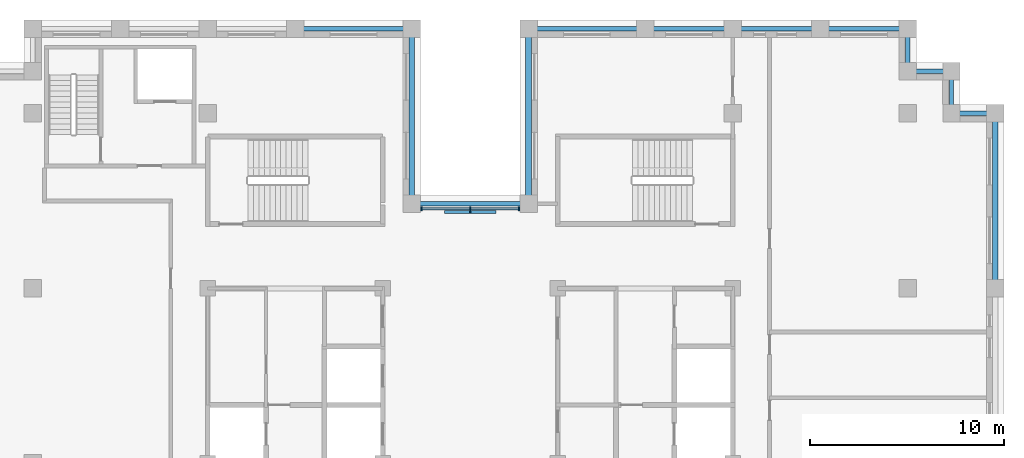
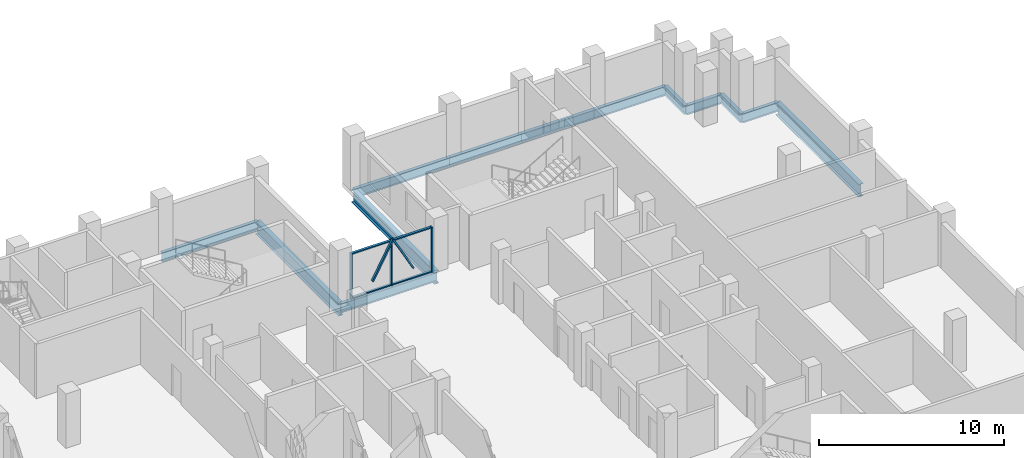
# One storey, part 4 of 13: 13 beams, 9 members, 1 element without a shape of its own.
"""IFC4 building model written with IfcOpenShell, lengths in metres."""

from ifc_helpers import new_model, si_unit, direction, frame, origin, origin_2d, place, context, subcontext, project, spatial, rectangle, i_section, extrude, material, layer, layer_set, material_profile, profile_set, type_object, element, aggregate, save


model = new_model("IFC4")

# Units and contexts
model_context = context("Model", 3, precision=1e-05, world=origin(), true_north=direction((0.0, 1.0)))
body_context = subcontext(model_context, "Body", "Model", "MODEL_VIEW")
ifc_project = project(units=[si_unit("LENGTHUNIT", "METRE"), si_unit("AREAUNIT", "SQUARE_METRE"), si_unit("VOLUMEUNIT", "CUBIC_METRE"), si_unit("PLANEANGLEUNIT", "RADIAN"), si_unit("MASSUNIT", "GRAM", prefix="KILO")], contexts=[model_context])

# Site, building, storey
site_placement = place(None, origin())
site = spatial("IfcSite", under=ifc_project, at=site_placement, CompositionType="ELEMENT")
building_placement = place(site_placement, origin())
building = spatial("IfcBuilding", under=site, at=building_placement, Name="Corbelhall Arena Tower", CompositionType="ELEMENT")
storey_placement = place(building_placement, frame((0.0, 0.0, 290.0)))
storey = spatial("IfcBuildingStorey", under=building, at=storey_placement, Name="L63", CompositionType="ELEMENT", Elevation=290.0)

# Curtain wall, members
ifc_material_1 = material(Name="Aluminium black anodised", Category="aluminium")
ifc_layer = layer(ifc_material_1, 0.199951171875)
ifc_layer_set = layer_set([ifc_layer], Name="EV-CW1 Slot back wall")
curtain_wall_type = type_object("IfcCurtainWallType", Name="EV-CW1 Slot back wall", PredefinedType="NOTDEFINED", material=ifc_layer_set)
curtain_wall_placement = place(storey_placement, origin())
curtain_wall = element("IfcCurtainWall", 1, at=curtain_wall_placement, inside=storey, type_object=curtain_wall_type, Name="Curtain wall CW1", PredefinedType="NOTDEFINED")
ifc_material_profile_1 = material_profile(ifc_material_1, rectangle(XDim=0.199951171875, YDim=0.074951171875, at=origin_2d()))
ifc_profile_set_1 = profile_set([ifc_material_profile_1], Name="Aluminium black anodised")
member_type_1 = type_object("IfcMemberType", Name="EV-CW1-MULLION", PredefinedType="MULLION", material=ifc_profile_set_1)
member_1_placement = place(storey_placement, frame((2.512451171875, 13.10009765625, 0.0), z_axis=(0.0, 0.0, 1.0), x_axis=(0.0, -1.0, 0.0)))
member_1 = element("IfcMember", 2, at=member_1_placement, type_object=member_type_1, Name="CW1 mullion 1", PredefinedType="MULLION", context=body_context, shape_type="SweptSolid", body=[
    extrude(rectangle(XDim=0.199951171875, YDim=0.074951171875, at=origin_2d()), origin(), (0.0, 0.0, 1.0), 2.989990234375),
])
member_2_placement = place(storey_placement, frame((0.0, 13.10009765625, 0.0), z_axis=(0.0, 0.0, 1.0), x_axis=(0.0, -1.0, 0.0)))
member_2 = element("IfcMember", 3, at=member_2_placement, type_object=member_type_1, Name="CW1 mullion 2", PredefinedType="MULLION", context=body_context, shape_type="SweptSolid", body=[
    extrude(rectangle(XDim=0.199951171875, YDim=0.074951171875, at=origin_2d()), origin(), (0.0, 0.0, 1.0), 2.989990234375),
])
member_3_placement = place(storey_placement, frame((-2.512451171875, 13.10009765625, 0.0), z_axis=(0.0, 0.0, 1.0), x_axis=(0.0, -1.0, 0.0)))
member_3 = element("IfcMember", 4, at=member_3_placement, type_object=member_type_1, Name="CW1 mullion 3", PredefinedType="MULLION", context=body_context, shape_type="SweptSolid", body=[
    extrude(rectangle(XDim=0.199951171875, YDim=0.074951171875, at=origin_2d()), origin(), (0.0, 0.0, 1.0), 2.989990234375),
])
ifc_material_profile_2 = material_profile(ifc_material_1, rectangle(XDim=0.14990234375, YDim=0.074951171875, at=origin_2d()))
ifc_profile_set_2 = profile_set([ifc_material_profile_2], Name="Aluminium black anodised")
member_type_2 = type_object("IfcMemberType", Name="EV-CW1-TRANSOM", PredefinedType="USERDEFINED", material=ifc_profile_set_2)
member_4_placement = place(storey_placement, frame((2.47509765625, 13.10009765625, 0.03759765625), z_axis=(-1.0, 0.0, 0.0), x_axis=(0.0, -1.0, 0.0)))
member_4 = element("IfcMember", 5, at=member_4_placement, type_object=member_type_2, Name="CW1 transom 1.1", ObjectType="transom", PredefinedType="USERDEFINED", context=body_context, shape_type="SweptSolid", body=[
    extrude(rectangle(XDim=0.14990234375, YDim=0.074951171875, at=origin_2d()), origin(), (0.0, 0.0, 1.0), 2.4375),
])
member_5_placement = place(storey_placement, frame((2.47509765625, 13.10009765625, 2.952392578125), z_axis=(-1.0, 0.0, 0.0), x_axis=(0.0, -1.0, 0.0)))
member_5 = element("IfcMember", 6, at=member_5_placement, type_object=member_type_2, Name="CW1 transom 1.2", ObjectType="transom", PredefinedType="USERDEFINED", context=body_context, shape_type="SweptSolid", body=[
    extrude(rectangle(XDim=0.14990234375, YDim=0.074951171875, at=origin_2d()), origin(), (0.0, 0.0, 1.0), 2.4375),
])
member_6_placement = place(storey_placement, frame((-0.03759765625, 13.10009765625, 0.03759765625), z_axis=(-1.0, 0.0, 0.0), x_axis=(0.0, -1.0, 0.0)))
member_6 = element("IfcMember", 7, at=member_6_placement, type_object=member_type_2, Name="CW1 transom 2.1", ObjectType="transom", PredefinedType="USERDEFINED", context=body_context, shape_type="SweptSolid", body=[
    extrude(rectangle(XDim=0.14990234375, YDim=0.074951171875, at=origin_2d()), origin(), (0.0, 0.0, 1.0), 2.4375),
])
member_7_placement = place(storey_placement, frame((-0.03759765625, 13.10009765625, 2.952392578125), z_axis=(-1.0, 0.0, 0.0), x_axis=(0.0, -1.0, 0.0)))
member_7 = element("IfcMember", 8, at=member_7_placement, type_object=member_type_2, Name="CW1 transom 2.2", ObjectType="transom", PredefinedType="USERDEFINED", context=body_context, shape_type="SweptSolid", body=[
    extrude(rectangle(XDim=0.14990234375, YDim=0.074951171875, at=origin_2d()), origin(), (0.0, 0.0, 1.0), 2.4375),
])
aggregate(curtain_wall, [member_1, member_2, member_3, member_4, member_5, member_6, member_7])

# Members
ifc_material_profile_3 = material_profile(ifc_material_1, rectangle(XDim=0.159912109375, YDim=0.10009765625, at=origin_2d()))
ifc_profile_set_3 = profile_set([ifc_material_profile_3], Name="Aluminium black anodised")
member_type_3 = type_object("IfcMemberType", Name="EV-TR1 Tracery bar", PredefinedType="USERDEFINED", material=ifc_profile_set_3)
for number, where, z_axis, x_axis, name in (
    (9, (1.27490234375, 12.919921875, 0.807373046875), (-0.478030960994, 0.0, 0.878342985588), (0.0, -1.0, 0.0), "Tracery bar"),
    (10, (0.0, 12.919921875, 3.14990234375), (-0.478030960994, 0.0, -0.878342985588), (0.0, -1.0, 0.0), "Tracery bar"),
):
    element("IfcMember", number, at=place(storey_placement, frame(where, z_axis=z_axis, x_axis=x_axis)), inside=storey, type_object=member_type_3, Name=name, ObjectType="TRACERY", PredefinedType="USERDEFINED", context=body_context, shape_type="SweptSolid", body=[
        extrude(rectangle(XDim=0.159912109375, YDim=0.10009765625, at=origin_2d()), origin(), (0.0, 0.0, 1.0), 2.6669921875),
    ])

# Beams
ifc_material_2 = material(Name="Steel ASTM A992 Gr50", Category="steel")
ifc_material_profile_4 = material_profile(ifc_material_2, i_section(OverallWidth=0.227783203125, OverallDepth=0.60205078125, WebThickness=0.010498046875, FlangeThickness=0.014892578125, at=origin_2d()))
ifc_profile_set_4 = profile_set([ifc_material_profile_4], Name="Steel ASTM A992 Gr50")
beam_type_1 = type_object("IfcBeamType", Name="ST-SPANDREL-W24x68", PredefinedType="SPANDREL", material=ifc_profile_set_4)
beam_1_placement = place(storey_placement, frame((3.0, 22.35009765625, -0.5810546875), z_axis=(1.0, 0.0, 0.0), x_axis=(0.0, 1.0, 0.0)))
element("IfcBeam", 11, at=beam_1_placement, inside=storey, type_object=beam_type_1, Name="Beam SP 6", PredefinedType="SPANDREL", context=body_context, shape_type="SweptSolid", body=[
    extrude(i_section(OverallWidth=0.227783203125, OverallDepth=0.60205078125, WebThickness=0.010498046875, FlangeThickness=0.014892578125, at=origin_2d()), origin(), (0.0, 0.0, 1.0), 6.0),
])
for number, where, z_axis, x_axis, name in (
    (12, (9.0, 22.35009765625, -0.5810546875), (1.0, 0.0, 0.0), (0.0, 1.0, 0.0), "Beam SP 7"),
    (13, (13.5, 22.35009765625, -0.5810546875), (1.0, 0.0, 0.0), (0.0, 1.0, 0.0), "Beam SP 8"),
    (14, (18.0, 22.35009765625, -0.5810546875), (1.0, 0.0, 0.0), (0.0, 1.0, 0.0), "Beam SP 9"),
):
    element("IfcBeam", number, at=place(storey_placement, frame(where, z_axis=z_axis, x_axis=x_axis)), inside=storey, type_object=beam_type_1, Name=name, PredefinedType="SPANDREL", context=body_context, shape_type="SweptSolid", body=[
        extrude(i_section(OverallWidth=0.227783203125, OverallDepth=0.60205078125, WebThickness=0.010498046875, FlangeThickness=0.014892578125, at=origin_2d()), origin(), (0.0, 0.0, 1.0), 4.5),
    ])
beam_2_placement = place(storey_placement, frame((22.5, 22.35009765625, -0.5810546875), z_axis=(0.0, -1.0, 0.0), x_axis=(1.0, 0.0, 0.0)))
element("IfcBeam", 15, at=beam_2_placement, inside=storey, type_object=beam_type_1, Name="Beam SP 10", PredefinedType="SPANDREL", context=body_context, shape_type="SweptSolid", body=[
    extrude(i_section(OverallWidth=0.227783203125, OverallDepth=0.60205078125, WebThickness=0.010498046875, FlangeThickness=0.014892578125, at=origin_2d()), origin(), (0.0, 0.0, 1.0), 2.175048828125),
])
for number, where, z_axis, x_axis, name in (
    (16, (-9.0, 22.35009765625, -0.5810546875), (1.0, 0.0, 0.0), (0.0, 1.0, 0.0), "Beam SP 12"),
    (17, (-3.0, 13.35009765625, -0.5810546875), (1.0, 0.0, 0.0), (0.0, 1.0, 0.0), "Beam SP 32"),
):
    element("IfcBeam", number, at=place(storey_placement, frame(where, z_axis=z_axis, x_axis=x_axis)), inside=storey, type_object=beam_type_1, Name=name, PredefinedType="SPANDREL", context=body_context, shape_type="SweptSolid", body=[
        extrude(i_section(OverallWidth=0.227783203125, OverallDepth=0.60205078125, WebThickness=0.010498046875, FlangeThickness=0.014892578125, at=origin_2d()), origin(), (0.0, 0.0, 1.0), 6.0),
    ])
beam_3_placement = place(storey_placement, frame((22.5, 20.175048828125, -0.5810546875), z_axis=(1.0, 0.0, 0.0), x_axis=(0.0, 1.0, 0.0)))
element("IfcBeam", 18, at=beam_3_placement, inside=storey, type_object=beam_type_1, Name="Beam SP 35", PredefinedType="SPANDREL", context=body_context, shape_type="SweptSolid", body=[
    extrude(i_section(OverallWidth=0.227783203125, OverallDepth=0.60205078125, WebThickness=0.010498046875, FlangeThickness=0.014892578125, at=origin_2d()), origin(), (0.0, 0.0, 1.0), 2.25),
])
beam_4_placement = place(storey_placement, frame((24.75, 20.175048828125, -0.5810546875), z_axis=(0.0, -1.0, 0.0), x_axis=(1.0, 0.0, 0.0)))
element("IfcBeam", 19, at=beam_4_placement, inside=storey, type_object=beam_type_1, Name="Beam SP 36", PredefinedType="SPANDREL", context=body_context, shape_type="SweptSolid", body=[
    extrude(i_section(OverallWidth=0.227783203125, OverallDepth=0.60205078125, WebThickness=0.010498046875, FlangeThickness=0.014892578125, at=origin_2d()), origin(), (0.0, 0.0, 1.0), 2.175048828125),
])
beam_5_placement = place(storey_placement, frame((24.75, 18.0, -0.5810546875), z_axis=(1.0, 0.0, 0.0), x_axis=(0.0, 1.0, 0.0)))
element("IfcBeam", 20, at=beam_5_placement, inside=storey, type_object=beam_type_1, Name="Beam SP 37", PredefinedType="SPANDREL", context=body_context, shape_type="SweptSolid", body=[
    extrude(i_section(OverallWidth=0.227783203125, OverallDepth=0.60205078125, WebThickness=0.010498046875, FlangeThickness=0.014892578125, at=origin_2d()), origin(), (0.0, 0.0, 1.0), 2.25),
])
ifc_material_profile_5 = material_profile(ifc_material_2, i_section(OverallWidth=0.2919921875, OverallDepth=0.845703125, WebThickness=0.015380859375, FlangeThickness=0.0244140625, at=origin_2d()))
ifc_profile_set_5 = profile_set([ifc_material_profile_5], Name="Steel ASTM A992 Gr50")
beam_type_2 = type_object("IfcBeamType", Name="ST-SPANDREL-W33x141", PredefinedType="SPANDREL", material=ifc_profile_set_5)
for number, where, z_axis, x_axis, name in (
    (21, (27.0, 18.0, -0.702880859375), (0.0, -1.0, 0.0), (1.0, 0.0, 0.0), "Beam SP 3"),
    (22, (-3.0, 22.35009765625, -0.702880859375), (0.0, -1.0, 0.0), (1.0, 0.0, 0.0), "Beam SP 11"),
    (23, (3.0, 13.35009765625, -0.702880859375), (0.0, 1.0, 0.0), (-1.0, 0.0, 0.0), "Beam SP 31"),
):
    element("IfcBeam", number, at=place(storey_placement, frame(where, z_axis=z_axis, x_axis=x_axis)), inside=storey, type_object=beam_type_2, Name=name, PredefinedType="SPANDREL", context=body_context, shape_type="SweptSolid", body=[
        extrude(i_section(OverallWidth=0.2919921875, OverallDepth=0.845703125, WebThickness=0.015380859375, FlangeThickness=0.0244140625, at=origin_2d()), origin(), (0.0, 0.0, 1.0), 9.0),
    ])

save(model, "model.ifc")
